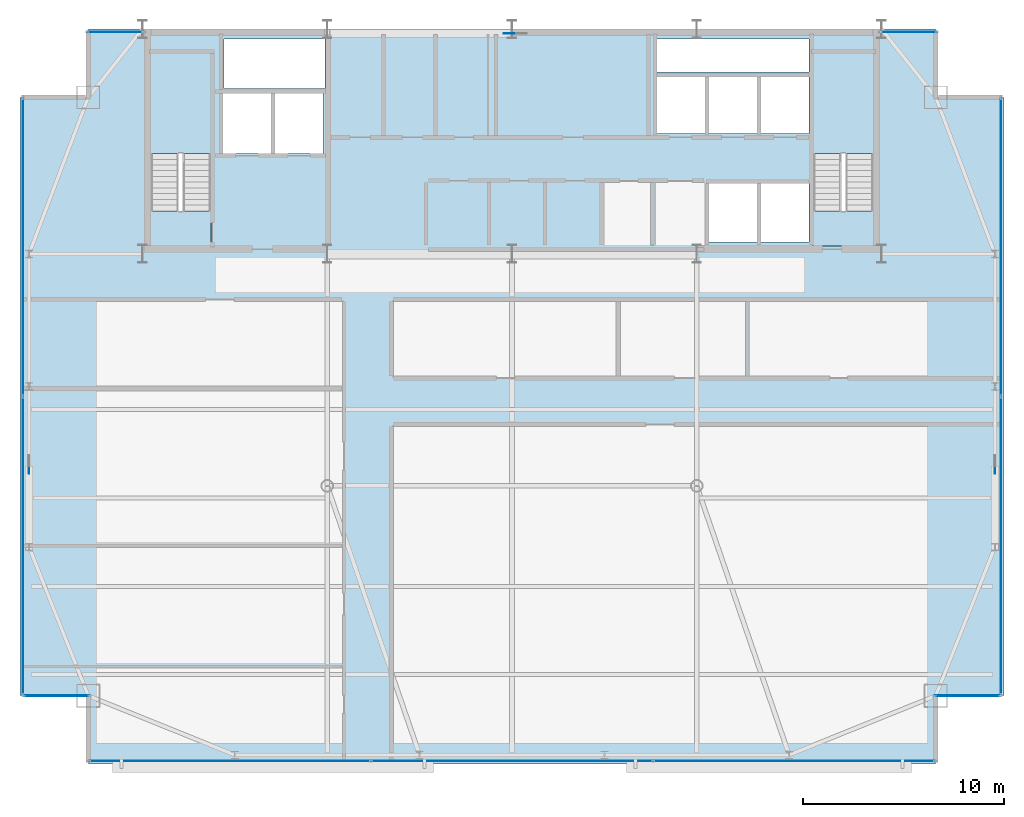
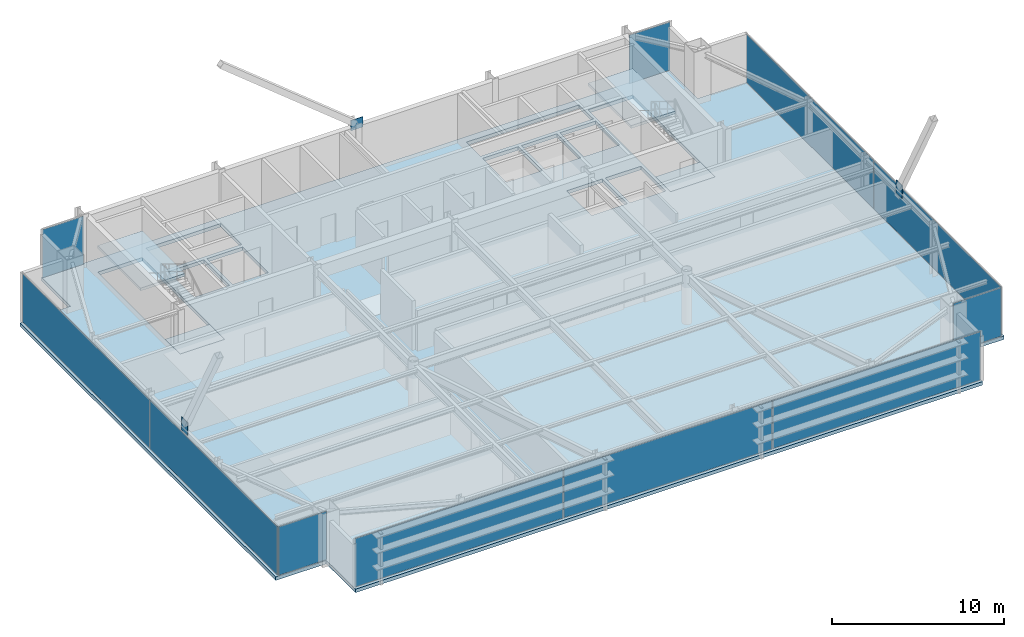
# One storey, part 20 of 26: 14 plates, 5 slabs, 9 elements without a shape of their own.
"""IFC4 building model written with IfcOpenShell, lengths in metres."""

from ifc_helpers import new_model, si_unit, direction, frame, origin, origin_2d, place, context, subcontext, project, spatial, polyline, rectangle, outline, extrude, source, transform, mapped, material, layer, layer_set, type_object, type_shapes, element, aggregate, save


model = new_model("IFC4")

# Units and contexts
model_context = context("Model", 3, precision=1e-05, world=origin(), true_north=direction((0.0, 1.0)))
body_context = subcontext(model_context, "Body", "Model", "MODEL_VIEW")
ifc_project = project(units=[si_unit("LENGTHUNIT", "METRE"), si_unit("AREAUNIT", "SQUARE_METRE"), si_unit("VOLUMEUNIT", "CUBIC_METRE"), si_unit("PLANEANGLEUNIT", "RADIAN"), si_unit("MASSUNIT", "GRAM", prefix="KILO")], contexts=[model_context])

# Site, building, storey
site_placement = place(None, origin())
site = spatial("IfcSite", under=ifc_project, at=site_placement, CompositionType="ELEMENT")
building_placement = place(site_placement, origin())
building = spatial("IfcBuilding", under=site, at=building_placement, Name="Varnel Quay Broadcast Tower", CompositionType="ELEMENT")
storey_placement = place(building_placement, frame((0.0, 0.0, 218.800048828125)))
storey = spatial("IfcBuildingStorey", under=building, at=storey_placement, Name="L54", CompositionType="ELEMENT", Elevation=218.800048828125)

# Slabs
ifc_material_1 = material(Name="Concrete CSA A23.3 C50/60", Category="concrete")
ifc_layer_1 = layer(ifc_material_1, 0.25, Name="Concrete CSA A23.3 C50/60")
ifc_layer_set_1 = layer_set([ifc_layer_1], Name="Concrete CSA A23.3 C50/60")
slab_type_1 = type_object("IfcSlabType", Name="Slab_Floor250", PredefinedType="FLOOR", material=ifc_layer_set_1)
slab_1_placement = place(storey_placement, frame((0.0, 0.0, -0.25)))
element("IfcSlab", 1, at=slab_1_placement, inside=storey, type_object=slab_type_1, Name="L54 Structural Slab", PredefinedType="FLOOR", context=body_context, shape_type="SweptSolid", body=[
    extrude(outline(polyline([(12.89990234375, 10.199951171875), (55.10009765625, 10.199951171875), (55.10009765625, 13.60009765625), (58.5, 13.60009765625), (58.5, 43.39990234375), (55.10009765625, 43.39990234375), (55.10009765625, 46.800048828125), (12.89990234375, 46.800048828125), (12.89990234375, 43.39990234375), (9.5, 43.39990234375), (9.5, 13.60009765625), (12.89990234375, 13.60009765625), (12.89990234375, 10.199951171875)]), holes=[polyline([(19.0, 36.0), (16.0, 36.0), (16.0, 45.60009765625), (19.0, 45.60009765625), (19.0, 36.0)]), polyline([(19.60009765625, 40.60009765625), (19.60009765625, 43.60009765625), (22.0, 43.60009765625), (22.0, 40.60009765625), (19.60009765625, 40.60009765625)]), polyline([(22.199951171875, 40.60009765625), (22.199951171875, 43.60009765625), (24.60009765625, 43.60009765625), (24.60009765625, 40.60009765625), (22.199951171875, 40.60009765625)]), polyline([(41.199951171875, 44.39990234375), (43.60009765625, 44.39990234375), (43.60009765625, 41.60009765625), (41.199951171875, 41.60009765625), (41.199951171875, 44.39990234375)]), polyline([(43.800048828125, 44.39990234375), (46.199951171875, 44.39990234375), (46.199951171875, 41.60009765625), (43.800048828125, 41.60009765625), (43.800048828125, 44.39990234375)]), polyline([(19.64990234375, 43.85009765625), (19.64990234375, 46.300048828125), (24.679931640625, 46.300048828125), (24.679931640625, 43.85009765625), (19.64990234375, 43.85009765625)]), polyline([(43.800048828125, 39.10009765625), (46.199951171875, 39.10009765625), (46.199951171875, 36.199951171875), (43.800048828125, 36.199951171875), (43.800048828125, 39.10009765625)]), polyline([(46.39990234375, 39.10009765625), (48.800048828125, 39.10009765625), (48.800048828125, 36.199951171875), (46.39990234375, 36.199951171875), (46.39990234375, 39.10009765625)]), polyline([(52.0, 36.0), (49.0, 36.0), (49.0, 45.60009765625), (52.0, 45.60009765625), (52.0, 36.0)]), polyline([(46.39990234375, 44.39990234375), (48.800048828125, 44.39990234375), (48.800048828125, 41.60009765625), (46.39990234375, 41.60009765625), (46.39990234375, 44.39990234375)]), polyline([(41.199951171875, 46.300048828125), (48.800048828125, 46.300048828125), (48.800048828125, 44.64990234375), (41.199951171875, 44.64990234375), (41.199951171875, 46.300048828125)])]), origin(), (0.0, 0.0, 1.0), 0.25),
])
ifc_layer_2 = layer(ifc_material_1, 0.25, Name="Concrete CSA A23.3 C50/60")
ifc_layer_set_2 = layer_set([ifc_layer_2], Name="Concrete CSA A23.3 C50/60")
slab_type_2 = type_object("IfcSlabType", Name="Slab_StairFloorLanding250", PredefinedType="FLOOR", material=ifc_layer_set_2)
slab_2_placement = place(storey_placement, frame((0.0, 0.0, -0.25)))
element("IfcSlab", 2, at=slab_2_placement, inside=storey, type_object=slab_type_2, Name="L54 ST-01 Structural Floor Landing Slab", PredefinedType="FLOOR", context=body_context, shape_type="SweptSolid", body=[
    extrude(outline(polyline([(19.0, 36.0), (19.0, 37.75), (16.0, 37.75), (16.0, 36.0), (19.0, 36.0)])), origin(), (0.0, 0.0, 1.0), 0.25),
])
slab_3_placement = place(storey_placement, frame((0.0, 0.0, -0.25)))
element("IfcSlab", 3, at=slab_3_placement, inside=storey, type_object=slab_type_2, Name="L54 ST-02 Structural Floor Landing Slab", PredefinedType="FLOOR", context=body_context, shape_type="SweptSolid", body=[
    extrude(outline(polyline([(52.0, 36.0), (52.0, 37.75), (49.0, 37.75), (49.0, 36.0), (52.0, 36.0)])), origin(), (0.0, 0.0, 1.0), 0.25),
])

# Stair, slab
ifc_material_2 = material(Name="Precast Structural Concrete C40/50", Category="concrete")
stair_type_1 = type_object("IfcStairType", Name="Stair_ST-01", PredefinedType="HALF_TURN_STAIR", material=ifc_material_2)
stair_1_placement = place(storey_placement, origin())
stair_1 = element("IfcStair", 4, at=stair_1_placement, inside=storey, type_object=stair_type_1, Name="L54 West Core Exit Stair 1", PredefinedType="HALF_TURN_STAIR")
ifc_layer_3 = layer(ifc_material_2, 0.199951171875, Name="Precast Structural Concrete C40/50")
ifc_layer_set_3 = layer_set([ifc_layer_3], Name="Precast Structural Concrete C40/50")
slab_type_3 = type_object("IfcSlabType", Name="Slab_StairLanding200", PredefinedType="LANDING", material=ifc_layer_set_3)
slab_4_placement = place(storey_placement, frame((0.0, 0.0, 1.699951171875)))
slab_4 = element("IfcSlab", 5, at=slab_4_placement, type_object=slab_type_3, Name="ST-01 landing 1", PredefinedType="LANDING", context=body_context, shape_type="SweptSolid", body=[
    extrude(outline(polyline([(19.0, 40.60009765625), (19.0, 45.60009765625), (16.0, 45.60009765625), (16.0, 40.60009765625), (19.0, 40.60009765625)])), origin(), (0.0, 0.0, 1.0), 0.199951171875),
])
aggregate(stair_1, [slab_4])

stair_type_2 = type_object("IfcStairType", Name="Stair_ST-02", PredefinedType="HALF_TURN_STAIR", material=ifc_material_2)
stair_2_placement = place(storey_placement, origin())
stair_2 = element("IfcStair", 6, at=stair_2_placement, inside=storey, type_object=stair_type_2, Name="L54 East Core Exit Stair 2", PredefinedType="HALF_TURN_STAIR")
slab_5_placement = place(storey_placement, frame((0.0, 0.0, 1.699951171875)))
slab_5 = element("IfcSlab", 7, at=slab_5_placement, type_object=slab_type_3, Name="ST-02 landing 1", PredefinedType="LANDING", context=body_context, shape_type="SweptSolid", body=[
    extrude(outline(polyline([(52.0, 40.60009765625), (52.0, 45.60009765625), (49.0, 45.60009765625), (49.0, 40.60009765625), (52.0, 40.60009765625)])), origin(), (0.0, 0.0, 1.0), 0.199951171875),
])
aggregate(stair_2, [slab_5])

# Plates
ifc_material_3 = material(Name="Structural Steel CSA G40.21 350WT", Category="steel")
ifc_layer_4 = layer(ifc_material_3, 0.0400390625, Name="Structural Steel CSA G40.21 350WT")
ifc_layer_set_4 = layer_set([ifc_layer_4], Name="Structural Steel CSA G40.21 350WT")
plate_type_1 = type_object("IfcPlateType", Name="Plate_MegaGusset", PredefinedType="USERDEFINED", material=ifc_layer_set_4)
shared_shape_1 = source(origin(), body_context, "Body", "SweptSolid", [
    extrude(rectangle(XDim=0.801025390625, YDim=0.0400390625, at=origin_2d()), origin(), (0.0, 0.0, 1.0), 0.73291015625),
])
plate_1_placement = place(storey_placement, frame((34.0, 46.580078125, 3.30859375), z_axis=(0.0, 0.0, 1.0), x_axis=(1.0, 0.0, 0.0)))
element("IfcPlate", 8, at=plate_1_placement, inside=storey, type_object=plate_type_1, Name="Zone 4 Mega-Brace N-CT2 Central X-Crossing Gusset Plate", ObjectType="GUSSET_PLATE", PredefinedType="USERDEFINED", context=body_context, shape_type="MappedRepresentation", body=[
    mapped(shared_shape_1, transform((0.0, 0.0, 0.0), x_axis=(1.0, 0.0, 0.0), y_axis=(0.0, 1.0, 0.0), z_axis=(0.0, 0.0, 1.0), scale=1.0)),
])
shared_shape_2 = source(origin(), body_context, "Body", "SweptSolid", [
    extrude(rectangle(XDim=0.694091796875, YDim=0.0400390625, at=origin_2d()), origin(), (0.0, 0.0, 1.0), 0.9130859375),
])
type_shapes(plate_type_1, [shared_shape_1, shared_shape_2])
for number, where, z_axis, x_axis, name in (
    (9, (9.949951171875, 25.0, 3.218505859375), (0.0, 0.0, 1.0), (0.0, 1.0, 0.0), "Zone 4 Mega-Brace W-FT2 Central X-Crossing Gusset Plate"),
    (10, (58.050048828125, 25.0, 3.218505859375), (0.0, 0.0, 1.0), (0.0, 1.0, 0.0), "Zone 4 Mega-Brace E-FT2 Central X-Crossing Gusset Plate"),
):
    element("IfcPlate", number, at=place(storey_placement, frame(where, z_axis=z_axis, x_axis=x_axis)), inside=storey, type_object=plate_type_1, Name=name, ObjectType="GUSSET_PLATE", PredefinedType="USERDEFINED", context=body_context, shape_type="MappedRepresentation", body=[
        mapped(shared_shape_2, transform((0.0, 0.0, 0.0), x_axis=(1.0, 0.0, 0.0), y_axis=(0.0, 1.0, 0.0), z_axis=(0.0, 0.0, 1.0), scale=1.0)),
    ])

# Curtain wall, plate
ifc_material_4 = material(Name="Anodised Bronze Aluminium 6063-T6", Category="aluminium")
ifc_layer_5 = layer(ifc_material_4, 0.18994140625, Name="Anodised Bronze Aluminium 6063-T6")
ifc_layer_set_5 = layer_set([ifc_layer_5], Name="Anodised Bronze Aluminium 6063-T6")
curtain_wall_type_1 = type_object("IfcCurtainWallType", Name="CW_UpperTower", PredefinedType="NOTDEFINED", material=ifc_layer_set_5)
curtain_wall_1_placement = place(storey_placement, origin())
curtain_wall_1 = element("IfcCurtainWall", 11, at=curtain_wall_1_placement, inside=storey, type_object=curtain_wall_type_1, Name="L54 West Unitised Curtain Wall", PredefinedType="NOTDEFINED")
ifc_material_5 = material(Name="Insulated Bronze Spandrel Glass", Category="glass")
ifc_layer_6 = layer(ifc_material_5, 0.030029296875, Name="Insulated Bronze Spandrel Glass")
ifc_layer_set_6 = layer_set([ifc_layer_6], Name="Insulated Bronze Spandrel Glass")
plate_type_2 = type_object("IfcPlateType", Name="PanelSp_CWS-03", PredefinedType="CURTAIN_PANEL", material=ifc_layer_set_6)
shared_shape_3 = source(origin(), body_context, "Body", "SweptSolid", [
    extrude(rectangle(XDim=14.802490234375, YDim=0.030029296875, at=origin_2d()), origin(), (0.0, 0.0, 1.0), 3.429931640625),
])
type_shapes(plate_type_2, [shared_shape_3])
plate_2_placement = place(storey_placement, frame((9.64990234375, 21.066162109375, 0.06005859375), z_axis=(0.0, 0.0, 1.0), x_axis=(0.0, 1.0, 0.0)))
plate_2 = element("IfcPlate", 12, at=plate_2_placement, type_object=plate_type_2, Name="CWS-03 panel 1.1", PredefinedType="CURTAIN_PANEL", context=body_context, shape_type="MappedRepresentation", body=[
    mapped(shared_shape_3, transform((0.0, 0.0, 0.0), x_axis=(1.0, 0.0, 0.0), y_axis=(0.0, 1.0, 0.0), z_axis=(0.0, 0.0, 1.0), scale=1.0)),
])

curtain_wall_2_placement = place(storey_placement, origin())
curtain_wall_2 = element("IfcCurtainWall", 13, at=curtain_wall_2_placement, inside=storey, type_object=curtain_wall_type_1, Name="L54 East Unitised Curtain Wall", PredefinedType="NOTDEFINED")
plate_3_placement = place(storey_placement, frame((58.35009765625, 21.066162109375, 0.06005859375), z_axis=(0.0, 0.0, 1.0), x_axis=(0.0, 1.0, 0.0)))
plate_3 = element("IfcPlate", 14, at=plate_3_placement, type_object=plate_type_2, Name="CWS-03 panel 1.1", PredefinedType="CURTAIN_PANEL", context=body_context, shape_type="MappedRepresentation", body=[
    mapped(shared_shape_3, transform((0.0, 0.0, 0.0), x_axis=(1.0, 0.0, 0.0), y_axis=(0.0, 1.0, 0.0), z_axis=(0.0, 0.0, 1.0), scale=1.0)),
])

ifc_layer_7 = layer(ifc_material_4, 0.18994140625, Name="Anodised Bronze Aluminium 6063-T6")
ifc_layer_set_7 = layer_set([ifc_layer_7], Name="Anodised Bronze Aluminium 6063-T6")
curtain_wall_type_2 = type_object("IfcCurtainWallType", Name="CW_NotchCorner", PredefinedType="NOTDEFINED", material=ifc_layer_set_7)
curtain_wall_3_placement = place(storey_placement, origin())
curtain_wall_3 = element("IfcCurtainWall", 15, at=curtain_wall_3_placement, inside=storey, type_object=curtain_wall_type_2, Name="L54 SW Notch Curtain Wall", PredefinedType="NOTDEFINED")
ifc_material_6 = material(Name="Triple-Glazed Bronze Low-E Architectural Glass", Category="glass")
ifc_layer_8 = layer(ifc_material_6, 0.028076171875, Name="Triple-Glazed Bronze Low-E Architectural Glass")
ifc_layer_set_8 = layer_set([ifc_layer_8], Name="Triple-Glazed Bronze Low-E Architectural Glass")
plate_type_3 = type_object("IfcPlateType", Name="Panel_CWS-04", PredefinedType="CURTAIN_PANEL", material=ifc_layer_set_8)
shared_shape_4 = source(origin(), body_context, "Body", "SweptSolid", [
    extrude(rectangle(XDim=3.2099609375, YDim=0.028076171875, at=origin_2d()), origin(), (0.0, 0.0, 1.0), 3.43994140625),
])
type_shapes(plate_type_3, [shared_shape_4])
plate_4_placement = place(storey_placement, frame((11.31494140625, 13.60009765625, 0.054931640625), z_axis=(0.0, 0.0, 1.0), x_axis=(1.0, 0.0, 0.0)))
plate_4 = element("IfcPlate", 16, at=plate_4_placement, type_object=plate_type_3, Name="CWS-04 panel 1.1", PredefinedType="CURTAIN_PANEL", context=body_context, shape_type="MappedRepresentation", body=[
    mapped(shared_shape_4, transform((0.0, 0.0, 0.0), x_axis=(1.0, 0.0, 0.0), y_axis=(0.0, 1.0, 0.0), z_axis=(0.0, 0.0, 1.0), scale=1.0)),
])
aggregate(curtain_wall_3, [plate_4])

curtain_wall_4_placement = place(storey_placement, origin())
curtain_wall_4 = element("IfcCurtainWall", 17, at=curtain_wall_4_placement, inside=storey, type_object=curtain_wall_type_2, Name="L54 SE Notch Curtain Wall", PredefinedType="NOTDEFINED")
plate_5_placement = place(storey_placement, frame((56.68505859375, 13.60009765625, 0.054931640625), z_axis=(0.0, 0.0, 1.0), x_axis=(1.0, 0.0, 0.0)))
plate_5 = element("IfcPlate", 18, at=plate_5_placement, type_object=plate_type_3, Name="CWS-04 panel 1.1", PredefinedType="CURTAIN_PANEL", context=body_context, shape_type="MappedRepresentation", body=[
    mapped(shared_shape_4, transform((0.0, 0.0, 0.0), x_axis=(1.0, 0.0, 0.0), y_axis=(0.0, 1.0, 0.0), z_axis=(0.0, 0.0, 1.0), scale=1.0)),
])
aggregate(curtain_wall_4, [plate_5])

curtain_wall_5_placement = place(storey_placement, origin())
curtain_wall_5 = element("IfcCurtainWall", 19, at=curtain_wall_5_placement, inside=storey, type_object=curtain_wall_type_1, Name="L54 NW Wing Curtain Wall", PredefinedType="NOTDEFINED")
ifc_layer_9 = layer(ifc_material_6, 0.030029296875, Name="Triple-Glazed Bronze Low-E Architectural Glass")
ifc_layer_set_9 = layer_set([ifc_layer_9], Name="Triple-Glazed Bronze Low-E Architectural Glass")
plate_type_4 = type_object("IfcPlateType", Name="Panel_CWS-03", PredefinedType="CURTAIN_PANEL", material=ifc_layer_set_9)
shared_shape_5 = source(origin(), body_context, "Body", "SweptSolid", [
    extrude(rectangle(XDim=2.75, YDim=0.030029296875, at=origin_2d()), origin(), (0.0, 0.0, 1.0), 3.429931640625),
])
plate_6_placement = place(storey_placement, frame((14.260009765625, 46.64990234375, 0.06005859375), z_axis=(0.0, 0.0, 1.0), x_axis=(1.0, 0.0, 0.0)))
plate_6 = element("IfcPlate", 20, at=plate_6_placement, type_object=plate_type_4, Name="CWS-03 panel 1.1", PredefinedType="CURTAIN_PANEL", context=body_context, shape_type="MappedRepresentation", body=[
    mapped(shared_shape_5, transform((0.0, 0.0, 0.0), x_axis=(1.0, 0.0, 0.0), y_axis=(0.0, 1.0, 0.0), z_axis=(0.0, 0.0, 1.0), scale=1.0)),
])
aggregate(curtain_wall_5, [plate_6])

curtain_wall_6_placement = place(storey_placement, origin())
curtain_wall_6 = element("IfcCurtainWall", 21, at=curtain_wall_6_placement, inside=storey, type_object=curtain_wall_type_1, Name="L54 NE Wing Curtain Wall", PredefinedType="NOTDEFINED")
plate_7_placement = place(storey_placement, frame((53.739990234375, 46.64990234375, 0.06005859375), z_axis=(0.0, 0.0, 1.0), x_axis=(1.0, 0.0, 0.0)))
plate_7 = element("IfcPlate", 22, at=plate_7_placement, type_object=plate_type_4, Name="CWS-03 panel 1.1", PredefinedType="CURTAIN_PANEL", context=body_context, shape_type="MappedRepresentation", body=[
    mapped(shared_shape_5, transform((0.0, 0.0, 0.0), x_axis=(1.0, 0.0, 0.0), y_axis=(0.0, 1.0, 0.0), z_axis=(0.0, 0.0, 1.0), scale=1.0)),
])
aggregate(curtain_wall_6, [plate_7])

# Curtain wall, plates
curtain_wall_7_placement = place(storey_placement, origin())
curtain_wall_7 = element("IfcCurtainWall", 23, at=curtain_wall_7_placement, inside=storey, type_object=curtain_wall_type_1, Name="L54 South Unitised Curtain Wall 1", PredefinedType="NOTDEFINED")
shared_shape_6 = source(origin(), body_context, "Body", "SweptSolid", [
    extrude(rectangle(XDim=13.96923828125, YDim=0.030029296875, at=origin_2d()), origin(), (0.0, 0.0, 1.0), 3.429931640625),
])
plate_8_placement = place(storey_placement, frame((19.949462890625, 10.35009765625, 0.06005859375), z_axis=(0.0, 0.0, 1.0), x_axis=(1.0, 0.0, 0.0)))
plate_8 = element("IfcPlate", 24, at=plate_8_placement, type_object=plate_type_4, Name="CWS-03 panel 1.1", PredefinedType="CURTAIN_PANEL", context=body_context, shape_type="MappedRepresentation", body=[
    mapped(shared_shape_6, transform((0.0, 0.0, 0.0), x_axis=(1.0, 0.0, 0.0), y_axis=(0.0, 1.0, 0.0), z_axis=(0.0, 0.0, 1.0), scale=1.0)),
])
plate_9_placement = place(storey_placement, frame((48.050537109375, 10.35009765625, 0.06005859375), z_axis=(0.0, 0.0, 1.0), x_axis=(1.0, 0.0, 0.0)))
plate_9 = element("IfcPlate", 25, at=plate_9_placement, type_object=plate_type_4, Name="CWS-03 panel 3.1", PredefinedType="CURTAIN_PANEL", context=body_context, shape_type="MappedRepresentation", body=[
    mapped(shared_shape_6, transform((0.0, 0.0, 0.0), x_axis=(1.0, 0.0, 0.0), y_axis=(0.0, 1.0, 0.0), z_axis=(0.0, 0.0, 1.0), scale=1.0)),
])

# Plate
shared_shape_7 = source(origin(), body_context, "Body", "SweptSolid", [
    extrude(rectangle(XDim=14.802490234375, YDim=0.030029296875, at=origin_2d()), origin(), (0.0, 0.0, 1.0), 3.429931640625),
])
plate_10_placement = place(storey_placement, frame((9.64990234375, 35.933837890625, 0.06005859375), z_axis=(0.0, 0.0, 1.0), x_axis=(0.0, 1.0, 0.0)))
plate_10 = element("IfcPlate", 26, at=plate_10_placement, type_object=plate_type_4, Name="CWS-03 panel 2.1", PredefinedType="CURTAIN_PANEL", context=body_context, shape_type="MappedRepresentation", body=[
    mapped(shared_shape_7, transform((0.0, 0.0, 0.0), x_axis=(1.0, 0.0, 0.0), y_axis=(0.0, 1.0, 0.0), z_axis=(0.0, 0.0, 1.0), scale=1.0)),
])

aggregate(curtain_wall_1, [plate_2, plate_10])

plate_11_placement = place(storey_placement, frame((58.35009765625, 35.933837890625, 0.06005859375), z_axis=(0.0, 0.0, 1.0), x_axis=(0.0, 1.0, 0.0)))
plate_11 = element("IfcPlate", 27, at=plate_11_placement, type_object=plate_type_4, Name="CWS-03 panel 2.1", PredefinedType="CURTAIN_PANEL", context=body_context, shape_type="MappedRepresentation", body=[
    mapped(shared_shape_7, transform((0.0, 0.0, 0.0), x_axis=(1.0, 0.0, 0.0), y_axis=(0.0, 1.0, 0.0), z_axis=(0.0, 0.0, 1.0), scale=1.0)),
])

aggregate(curtain_wall_2, [plate_3, plate_11])

shared_shape_8 = source(origin(), body_context, "Body", "SweptSolid", [
    extrude(rectangle(XDim=14.001708984375, YDim=0.030029296875, at=origin_2d()), origin(), (0.0, 0.0, 1.0), 3.429931640625),
])
type_shapes(plate_type_4, [shared_shape_5, shared_shape_6, shared_shape_7, shared_shape_8])
plate_12_placement = place(storey_placement, frame((34.0, 10.35009765625, 0.06005859375), z_axis=(0.0, 0.0, 1.0), x_axis=(1.0, 0.0, 0.0)))
plate_12 = element("IfcPlate", 28, at=plate_12_placement, type_object=plate_type_4, Name="CWS-03 panel 2.1", PredefinedType="CURTAIN_PANEL", context=body_context, shape_type="MappedRepresentation", body=[
    mapped(shared_shape_8, transform((0.0, 0.0, 0.0), x_axis=(1.0, 0.0, 0.0), y_axis=(0.0, 1.0, 0.0), z_axis=(0.0, 0.0, 1.0), scale=1.0)),
])

aggregate(curtain_wall_7, [plate_8, plate_12, plate_9])

save(model, "model.ifc")
